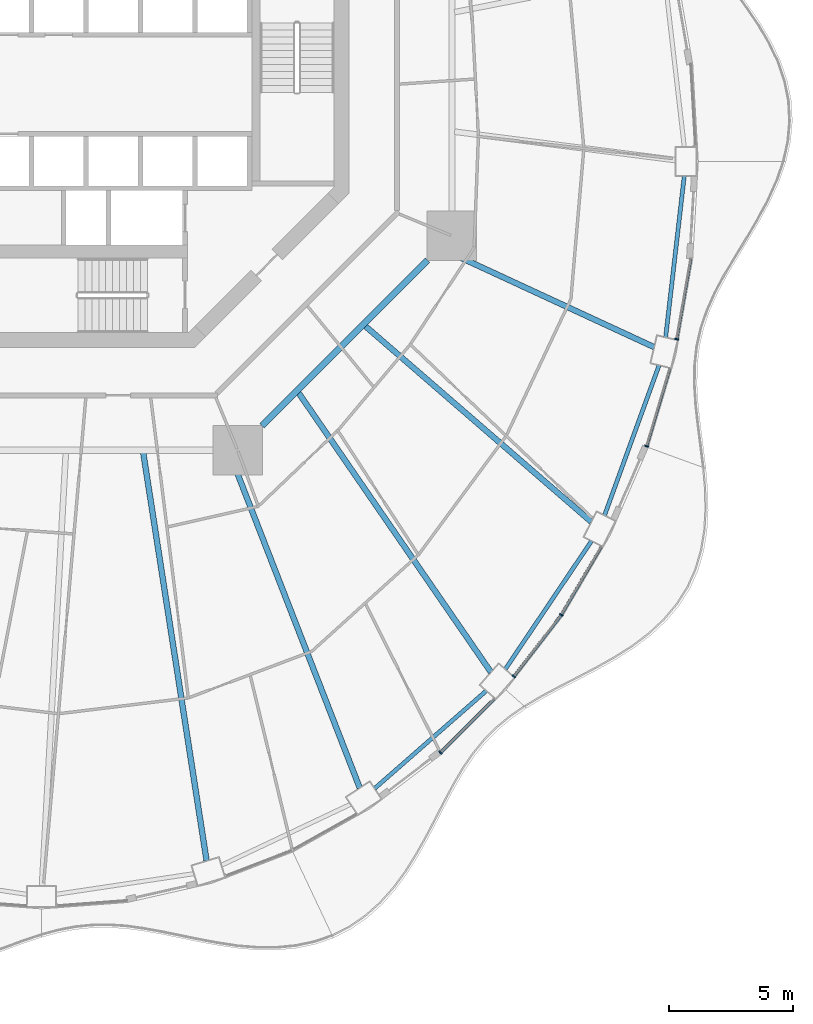
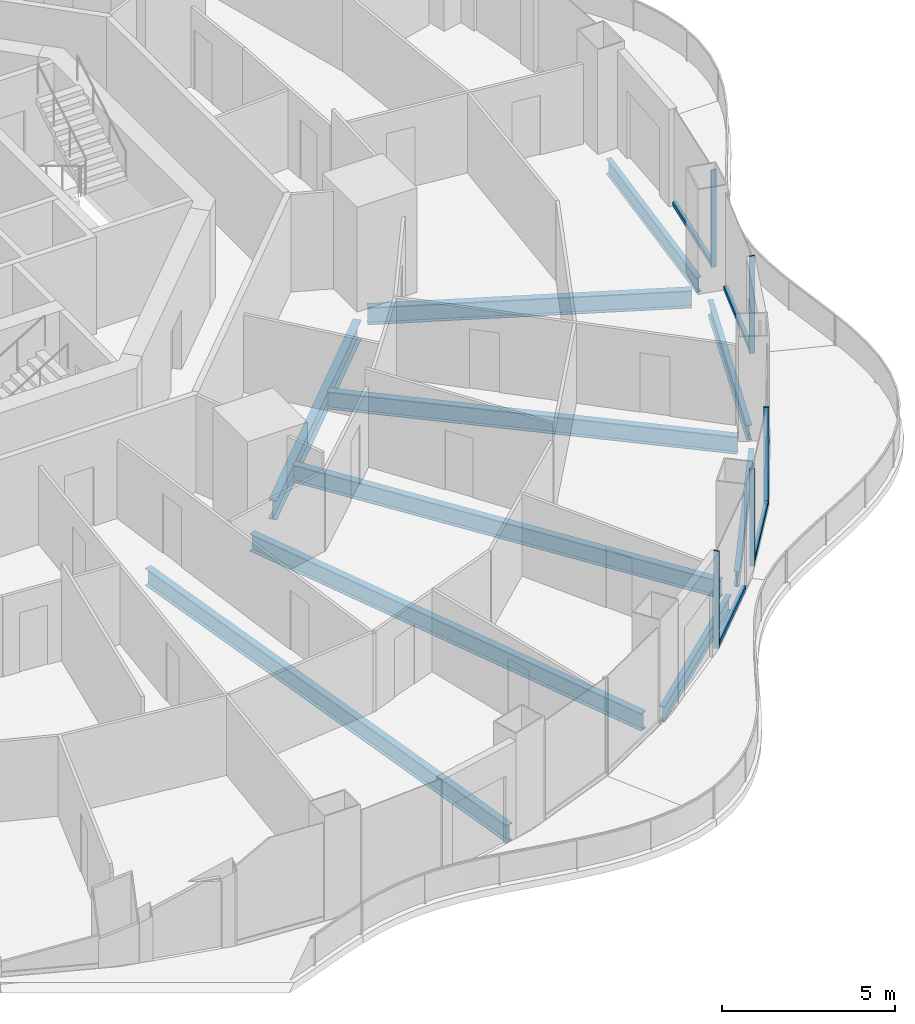
# One storey, part 5 of 20: 10 beams, 10 members, 5 elements without a shape of their own.
"""IFC4 building model written with IfcOpenShell, lengths in metres."""

from ifc_helpers import new_model, si_unit, direction, frame, origin, origin_2d, place, context, subcontext, project, spatial, rectangle, i_section, extrude, material, layer, layer_set, material_profile, profile_set, type_object, element, aggregate, save


model = new_model("IFC4")

# Units and contexts
model_context = context("Model", 3, precision=1e-05, world=origin(), true_north=direction((0.0, 1.0)))
body_context = subcontext(model_context, "Body", "Model", "MODEL_VIEW")
ifc_project = project(units=[si_unit("LENGTHUNIT", "METRE"), si_unit("AREAUNIT", "SQUARE_METRE"), si_unit("VOLUMEUNIT", "CUBIC_METRE"), si_unit("PLANEANGLEUNIT", "RADIAN"), si_unit("MASSUNIT", "GRAM", prefix="KILO")], contexts=[model_context])

# Site, building, storey
site_placement = place(None, origin())
site = spatial("IfcSite", under=ifc_project, at=site_placement, CompositionType="ELEMENT")
building_placement = place(site_placement, origin())
building = spatial("IfcBuilding", under=site, at=building_placement, Name="Nagisa Residences", CompositionType="ELEMENT")
storey_placement = place(building_placement, frame((0.0, 0.0, 145.5)))
storey = spatial("IfcBuildingStorey", under=building, at=storey_placement, Name="L36", CompositionType="ELEMENT", Elevation=145.5)

# Curtain wall, member
ifc_material_1 = material(Name="Concrete-coloured aluminium curtain wall system", Category="concrete")
ifc_layer = layer(ifc_material_1, 0.159912109375)
ifc_layer_set = layer_set([ifc_layer], Name="CW1 CURTAIN WALL")
curtain_wall_type = type_object("IfcCurtainWallType", Name="CW1 CURTAIN WALL", PredefinedType="NOTDEFINED", material=ifc_layer_set)
curtain_wall_1_placement = place(storey_placement, origin())
curtain_wall_1 = element("IfcCurtainWall", 1, at=curtain_wall_1_placement, inside=storey, type_object=curtain_wall_type, Name="cw:CW1:L36:41", PredefinedType="NOTDEFINED")
ifc_material_2 = material(Name="Concrete-coloured aluminium", Category="concrete")
ifc_material_profile_1 = material_profile(ifc_material_2, rectangle(XDim=0.159912109375, YDim=0.06005859375, at=origin_2d()), Name="CW1 MULLION 160x60")
ifc_profile_set_1 = profile_set([ifc_material_profile_1], Name="Concrete-coloured aluminium")
member_type_1 = type_object("IfcMemberType", Name="CW1 MULLION 160x60", PredefinedType="MULLION", material=ifc_profile_set_1)
member_1_placement = place(storey_placement, frame((14.318115234375, -26.9951171875, 0.0), z_axis=(0.0, 0.0, 1.0), x_axis=(-0.706376885714, 0.707835924016, 0.0)))
member_1 = element("IfcMember", 2, at=member_1_placement, type_object=member_type_1, Name="CW1 mullion", PredefinedType="MULLION", context=body_context, shape_type="SweptSolid", body=[
    extrude(rectangle(XDim=0.159912109375, YDim=0.06005859375, at=origin_2d()), origin(), (0.0, 0.0, 1.0), 3.43994140625),
])

curtain_wall_2_placement = place(storey_placement, origin())
curtain_wall_2 = element("IfcCurtainWall", 3, at=curtain_wall_2_placement, inside=storey, type_object=curtain_wall_type, Name="cw:CW1:L36:42", PredefinedType="NOTDEFINED")
member_2_placement = place(storey_placement, frame((17.2841796875, -23.9208984375, 0.0), z_axis=(0.0, 0.0, 1.0), x_axis=(-0.792070340816, 0.610429828235, 0.0)))
member_2 = element("IfcMember", 4, at=member_2_placement, type_object=member_type_1, Name="CW1 mullion", PredefinedType="MULLION", context=body_context, shape_type="SweptSolid", body=[
    extrude(rectangle(XDim=0.159912109375, YDim=0.06005859375, at=origin_2d()), origin(), (0.0, 0.0, 1.0), 3.43994140625),
])

curtain_wall_3_placement = place(storey_placement, origin())
curtain_wall_3 = element("IfcCurtainWall", 5, at=curtain_wall_3_placement, inside=storey, type_object=curtain_wall_type, Name="cw:CW1:L36:43", PredefinedType="NOTDEFINED")
member_3_placement = place(storey_placement, frame((19.19775390625, -21.432861328125, 0.0), z_axis=(0.0, 0.0, 1.0), x_axis=(-0.862328898214, 0.506348567002, 0.0)))
member_3 = element("IfcMember", 6, at=member_3_placement, type_object=member_type_1, Name="CW1 mullion", PredefinedType="MULLION", context=body_context, shape_type="SweptSolid", body=[
    extrude(rectangle(XDim=0.159912109375, YDim=0.06005859375, at=origin_2d()), origin(), (0.0, 0.0, 1.0), 3.43994140625),
])

curtain_wall_4_placement = place(storey_placement, origin())
curtain_wall_4 = element("IfcCurtainWall", 7, at=curtain_wall_4_placement, inside=storey, type_object=curtain_wall_type, Name="cw:CW1:L36:45", PredefinedType="NOTDEFINED")
member_4_placement = place(storey_placement, frame((22.64697265625, -14.62109375, 0.0), z_axis=(0.0, 0.0, 1.0), x_axis=(-0.958271310082, 0.285860274038, 0.0)))
member_4 = element("IfcMember", 8, at=member_4_placement, type_object=member_type_1, Name="CW1 mullion", PredefinedType="MULLION", context=body_context, shape_type="SweptSolid", body=[
    extrude(rectangle(XDim=0.159912109375, YDim=0.06005859375, at=origin_2d()), origin(), (0.0, 0.0, 1.0), 3.43994140625),
])

curtain_wall_5_placement = place(storey_placement, origin())
curtain_wall_5 = element("IfcCurtainWall", 9, at=curtain_wall_5_placement, inside=storey, type_object=curtain_wall_type, Name="cw:CW1:L36:46", PredefinedType="NOTDEFINED")
member_5_placement = place(storey_placement, frame((23.860595703125, -10.29833984375, 0.0), z_axis=(0.0, 0.0, 1.0), x_axis=(-0.985063604377, 0.172190868898, 0.0)))
member_5 = element("IfcMember", 10, at=member_5_placement, type_object=member_type_1, Name="CW1 mullion", PredefinedType="MULLION", context=body_context, shape_type="SweptSolid", body=[
    extrude(rectangle(XDim=0.159912109375, YDim=0.06005859375, at=origin_2d()), origin(), (0.0, 0.0, 1.0), 3.43994140625),
])

# Member
ifc_material_3 = material(Name="Concrete-coloured aluminium", Category="concrete")
ifc_material_profile_2 = material_profile(ifc_material_3, rectangle(XDim=0.1201171875, YDim=0.14990234375, at=origin_2d()), Name="CW1 TRANSOM 120x150")
ifc_profile_set_2 = profile_set([ifc_material_profile_2], Name="Concrete-coloured aluminium")
member_type_2 = type_object("IfcMemberType", Name="CW1 TRANSOM 120x150", PredefinedType="USERDEFINED", material=ifc_profile_set_2)
member_6_placement = place(storey_placement, frame((14.296875, -27.016357421875, 0.074951171875), z_axis=(0.707857739375, 0.706355024621, 0.0), x_axis=(-0.706355024621, 0.707857739375, 0.0)))
member_6 = element("IfcMember", 11, at=member_6_placement, type_object=member_type_2, Name="CW1 transom", ObjectType="TRANSOM", PredefinedType="USERDEFINED", context=body_context, shape_type="SweptSolid", body=[
    extrude(rectangle(XDim=0.1201171875, YDim=0.14990234375, at=origin_2d()), origin(), (0.0, 0.0, 1.0), 3.0869140625),
])

aggregate(curtain_wall_1, [member_1, member_6])

member_7_placement = place(storey_placement, frame((17.265869140625, -23.94482421875, 0.074951171875), z_axis=(0.610429847179, 0.792070326217, 0.0), x_axis=(-0.792070326217, 0.610429847179, 0.0)))
member_7 = element("IfcMember", 12, at=member_7_placement, type_object=member_type_2, Name="CW1 transom", ObjectType="TRANSOM", PredefinedType="USERDEFINED", context=body_context, shape_type="SweptSolid", body=[
    extrude(rectangle(XDim=0.1201171875, YDim=0.14990234375, at=origin_2d()), origin(), (0.0, 0.0, 1.0), 3.149169921875),
])

aggregate(curtain_wall_2, [member_2, member_7])

member_8_placement = place(storey_placement, frame((19.1826171875, -21.458740234375, 0.074951171875), z_axis=(0.506348207891, 0.86232910908, 0.0), x_axis=(-0.86232910908, 0.506348207891, 0.0)))
member_8 = element("IfcMember", 13, at=member_8_placement, type_object=member_type_2, Name="CW1 transom", ObjectType="TRANSOM", PredefinedType="USERDEFINED", context=body_context, shape_type="SweptSolid", body=[
    extrude(rectangle(XDim=0.1201171875, YDim=0.14990234375, at=origin_2d()), origin(), (0.0, 0.0, 1.0), 3.208251953125),
])

aggregate(curtain_wall_3, [member_3, member_8])

member_9_placement = place(storey_placement, frame((22.638427734375, -14.64990234375, 0.074951171875), z_axis=(0.285909915381, 0.958256500258, 0.0), x_axis=(-0.958256500258, 0.285909915381, 0.0)))
member_9 = element("IfcMember", 14, at=member_9_placement, type_object=member_type_2, Name="CW1 transom", ObjectType="TRANSOM", PredefinedType="USERDEFINED", context=body_context, shape_type="SweptSolid", body=[
    extrude(rectangle(XDim=0.1201171875, YDim=0.14990234375, at=origin_2d()), origin(), (0.0, 0.0, 1.0), 3.302978515625),
])

aggregate(curtain_wall_4, [member_4, member_9])

member_10_placement = place(storey_placement, frame((23.85546875, -10.327880859375, 0.074951171875), z_axis=(0.172163521006, 0.985068384446, 0.0), x_axis=(-0.985068384446, 0.172163521006, 0.0)))
member_10 = element("IfcMember", 15, at=member_10_placement, type_object=member_type_2, Name="CW1 transom", ObjectType="TRANSOM", PredefinedType="USERDEFINED", context=body_context, shape_type="SweptSolid", body=[
    extrude(rectangle(XDim=0.1201171875, YDim=0.14990234375, at=origin_2d()), origin(), (0.0, 0.0, 1.0), 3.33251953125),
])

aggregate(curtain_wall_5, [member_5, member_10])

# Beams
ifc_material_4 = material(Name="Steel ASTM A572 Gr 50", Category="steel")
ifc_material_profile_3 = material_profile(ifc_material_4, i_section(OverallWidth=0.25390625, OverallDepth=0.68408203125, WebThickness=0.012451171875, FlangeThickness=0.018798828125, at=origin_2d()), Name="W690x140")
ifc_profile_set_3 = profile_set([ifc_material_profile_3], Name="Steel ASTM A572 Gr 50")
beam_type_1 = type_object("IfcBeamType", Name="Inner ring beam W690x140", PredefinedType="BEAM", material=ifc_profile_set_3)
beam_1_placement = place(storey_placement, frame((7.10888671875, -13.796142578125, -0.60205078125), z_axis=(0.707106781187, 0.707106781187, 0.0), x_axis=(-0.707106781187, 0.707106781187, 0.0)))
element("IfcBeam", 16, at=beam_1_placement, inside=storey, type_object=beam_type_1, Name="beam:L36:ib7", PredefinedType="BEAM", context=body_context, shape_type="SweptSolid", body=[
    extrude(i_section(OverallWidth=0.25390625, OverallDepth=0.68408203125, WebThickness=0.012451171875, FlangeThickness=0.018798828125, at=origin_2d()), origin(), (0.0, 0.0, 1.0), 9.457275390625),
])
ifc_material_5 = material(Name="Steel ASTM A572 Gr 50", Category="steel")
ifc_material_profile_4 = material_profile(ifc_material_5, i_section(OverallWidth=0.166015625, OverallDepth=0.534912109375, WebThickness=0.01025390625, FlangeThickness=0.0166015625, at=origin_2d()), Name="W530x85")
ifc_profile_set_4 = profile_set([ifc_material_profile_4], Name="Steel ASTM A572 Gr 50")
beam_type_2 = type_object("IfcBeamType", Name="Perimeter ring beam W530x85", PredefinedType="BEAM", material=ifc_profile_set_4)
beam_2_placement = place(storey_placement, frame((11.658203125, -28.448486328125, -0.527587890625), z_axis=(0.75252371036, 0.658565156493, 0.0), x_axis=(-0.658565156493, 0.75252371036, 0.0)))
element("IfcBeam", 17, at=beam_2_placement, inside=storey, type_object=beam_type_2, Name="beam:L36:pb21", PredefinedType="BEAM", context=body_context, shape_type="SweptSolid", body=[
    extrude(i_section(OverallWidth=0.166015625, OverallDepth=0.534912109375, WebThickness=0.01025390625, FlangeThickness=0.0166015625, at=origin_2d()), origin(), (0.0, 0.0, 1.0), 5.994384765625),
])
beam_3_placement = place(storey_placement, frame((16.93603515625, -23.6298828125, -0.527587890625), z_axis=(0.558187951157, 0.82971453596, 0.0), x_axis=(-0.82971453596, 0.558187951157, 0.0)))
element("IfcBeam", 18, at=beam_3_placement, inside=storey, type_object=beam_type_2, Name="beam:L36:pb22", PredefinedType="BEAM", context=body_context, shape_type="SweptSolid", body=[
    extrude(i_section(OverallWidth=0.166015625, OverallDepth=0.534912109375, WebThickness=0.01025390625, FlangeThickness=0.0166015625, at=origin_2d()), origin(), (0.0, 0.0, 1.0), 6.24267578125),
])
beam_4_placement = place(storey_placement, frame((20.946533203125, -17.415771484375, -0.527587890625), z_axis=(0.341332802315, 0.93994250785, 0.0), x_axis=(-0.93994250785, 0.341332802315, 0.0)))
element("IfcBeam", 19, at=beam_4_placement, inside=storey, type_object=beam_type_2, Name="beam:L36:pb23", PredefinedType="BEAM", context=body_context, shape_type="SweptSolid", body=[
    extrude(i_section(OverallWidth=0.166015625, OverallDepth=0.534912109375, WebThickness=0.01025390625, FlangeThickness=0.0166015625, at=origin_2d()), origin(), (0.0, 0.0, 1.0), 6.450927734375),
])
beam_5_placement = place(storey_placement, frame((23.414794921875, -10.22314453125, -0.527587890625), z_axis=(0.114660786771, 0.993404703017, 0.0), x_axis=(-0.993404703017, 0.114660786771, 0.0)))
element("IfcBeam", 20, at=beam_5_placement, inside=storey, type_object=beam_type_2, Name="beam:L36:pb24", PredefinedType="BEAM", context=body_context, shape_type="SweptSolid", body=[
    extrude(i_section(OverallWidth=0.166015625, OverallDepth=0.534912109375, WebThickness=0.01025390625, FlangeThickness=0.0166015625, at=origin_2d()), origin(), (0.0, 0.0, 1.0), 6.568603515625),
])
ifc_material_6 = material(Name="Steel ASTM A572 Gr 50", Category="steel")
ifc_material_profile_5 = material_profile(ifc_material_6, i_section(OverallWidth=0.22900390625, OverallDepth=0.612060546875, WebThickness=0.011962890625, FlangeThickness=0.01953125, at=origin_2d()), Name="W610x125")
ifc_profile_set_5 = profile_set([ifc_material_profile_5], Name="Steel ASTM A572 Gr 50")
beam_type_3 = type_object("IfcBeamType", Name="Radial beam W610x125", PredefinedType="BEAM", material=ifc_profile_set_5)
beam_6_placement = place(storey_placement, frame((4.87158203125, -31.371337890625, -0.56591796875), z_axis=(-0.153441816097, 0.988157684316, 0.0), x_axis=(-0.988157684316, -0.153441816097, 0.0)))
element("IfcBeam", 21, at=beam_6_placement, inside=storey, type_object=beam_type_3, Name="beam:L36:rb20", PredefinedType="BEAM", context=body_context, shape_type="SweptSolid", body=[
    extrude(i_section(OverallWidth=0.22900390625, OverallDepth=0.612060546875, WebThickness=0.011962890625, FlangeThickness=0.01953125, at=origin_2d()), origin(), (0.0, 0.0, 1.0), 16.679443359375),
])
beam_7_placement = place(storey_placement, frame((11.057861328125, -28.424072265625, -0.56591796875), z_axis=(-0.362553351511, 0.931963018208, 0.0), x_axis=(-0.931963018208, -0.362553351511, 0.0)))
element("IfcBeam", 22, at=beam_7_placement, inside=storey, type_object=beam_type_3, Name="beam:L36:rb21", PredefinedType="BEAM", context=body_context, shape_type="SweptSolid", body=[
    extrude(i_section(OverallWidth=0.22900390625, OverallDepth=0.612060546875, WebThickness=0.011962890625, FlangeThickness=0.01953125, at=origin_2d()), origin(), (0.0, 0.0, 1.0), 14.521728515625),
])
beam_8_placement = place(storey_placement, frame((16.357666015625, -23.74951171875, -0.56591796875), z_axis=(-0.567235127754, 0.823555893575, 0.0), x_axis=(-0.823555893575, -0.567235127754, 0.0)))
element("IfcBeam", 23, at=beam_8_placement, inside=storey, type_object=beam_type_3, Name="beam:L36:rb22", PredefinedType="BEAM", context=body_context, shape_type="SweptSolid", body=[
    extrude(i_section(OverallWidth=0.22900390625, OverallDepth=0.612060546875, WebThickness=0.011962890625, FlangeThickness=0.01953125, at=origin_2d()), origin(), (0.0, 0.0, 1.0), 13.697509765625),
])
beam_9_placement = place(storey_placement, frame((20.41162109375, -17.6748046875, -0.56591796875), z_axis=(-0.755973913649, 0.654601742957, 0.0), x_axis=(-0.654601742957, -0.755973913649, 0.0)))
element("IfcBeam", 24, at=beam_9_placement, inside=storey, type_object=beam_type_3, Name="beam:L36:rb23", PredefinedType="BEAM", context=body_context, shape_type="SweptSolid", body=[
    extrude(i_section(OverallWidth=0.22900390625, OverallDepth=0.612060546875, WebThickness=0.011962890625, FlangeThickness=0.01953125, at=origin_2d()), origin(), (0.0, 0.0, 1.0), 12.072998046875),
])
beam_10_placement = place(storey_placement, frame((22.94921875, -10.618896484375, -0.56591796875), z_axis=(-0.907551024181, 0.419941827528, 0.0), x_axis=(-0.419941827528, -0.907551024181, 0.0)))
element("IfcBeam", 25, at=beam_10_placement, inside=storey, type_object=beam_type_3, Name="beam:L36:rb24", PredefinedType="BEAM", context=body_context, shape_type="SweptSolid", body=[
    extrude(i_section(OverallWidth=0.22900390625, OverallDepth=0.612060546875, WebThickness=0.011962890625, FlangeThickness=0.01953125, at=origin_2d()), origin(), (0.0, 0.0, 1.0), 9.424072265625),
])

save(model, "model.ifc")
